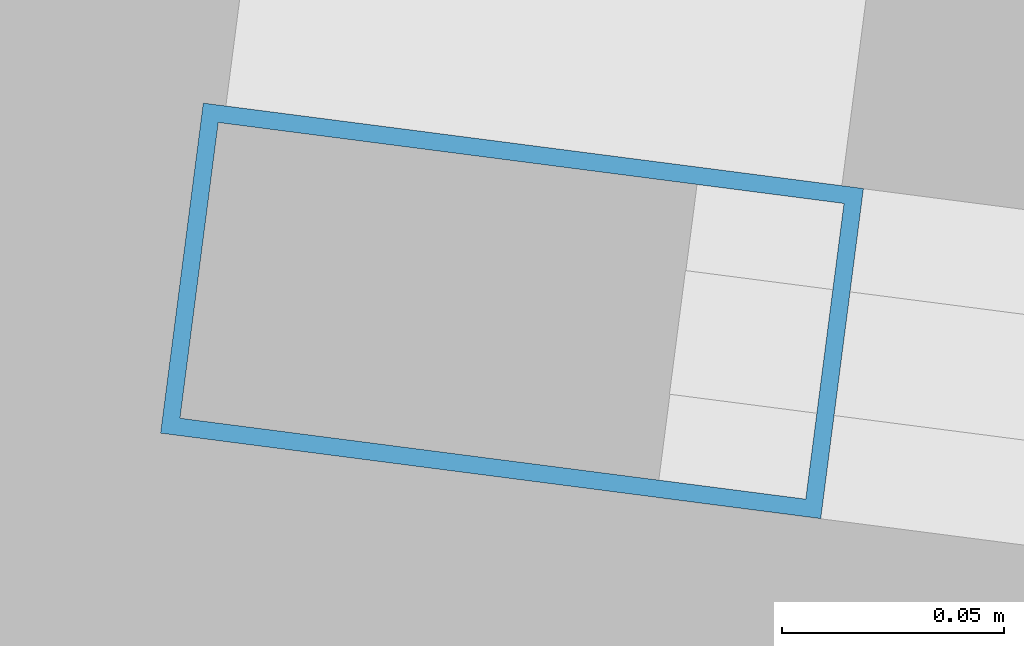
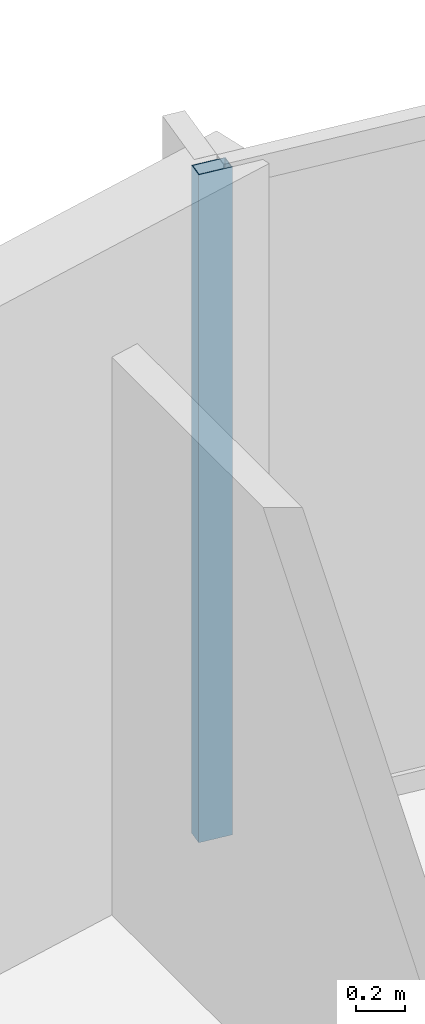
# One storey, part 22 of 33: 1 member, 1 element without a shape of its own.
"""IFC4 building model written with IfcOpenShell, lengths in metres."""

from ifc_helpers import new_model, si_unit, direction, frame, origin, origin_2d, place, context, subcontext, project, spatial, hollow_rectangle, extrude, material, layer, layer_set, material_profile, profile_set, type_object, element, aggregate, save


model = new_model("IFC4")

# Units and contexts
model_context = context("Model", 3, precision=1e-05, world=origin(), true_north=direction((0.0, 1.0)))
body_context = subcontext(model_context, "Body", "Model", "MODEL_VIEW")
ifc_project = project(units=[si_unit("LENGTHUNIT", "METRE"), si_unit("AREAUNIT", "SQUARE_METRE"), si_unit("VOLUMEUNIT", "CUBIC_METRE"), si_unit("PLANEANGLEUNIT", "RADIAN"), si_unit("MASSUNIT", "GRAM", prefix="KILO")], contexts=[model_context])

# Site, building, storey
site_placement = place(None, origin())
site = spatial("IfcSite", under=ifc_project, at=site_placement, CompositionType="ELEMENT")
building_placement = place(site_placement, origin())
building = spatial("IfcBuilding", under=site, at=building_placement, Name="Kazevale Care Tower and Concert Hall", CompositionType="ELEMENT")
storey_placement = place(building_placement, frame((0.0, 0.0, 153.0)))
storey = spatial("IfcBuildingStorey", under=building, at=storey_placement, Name="L40", CompositionType="ELEMENT", Elevation=153.0)

# Curtain wall, member
ifc_material_1 = material(Name="Aluminium 6063-T6 and Low-E Glass", Category="aluminium")
ifc_layer = layer(ifc_material_1, 0.179931640625)
ifc_layer_set = layer_set([ifc_layer], Name="Aluminium 6063-T6 and Low-E Glass")
curtain_wall_type = type_object("IfcCurtainWallType", Name="Convex Recessed Sunroom Curtain Wall CW-3", PredefinedType="NOTDEFINED", material=ifc_layer_set)
curtain_wall_placement = place(storey_placement, origin())
curtain_wall = element("IfcCurtainWall", 1, at=curtain_wall_placement, inside=storey, type_object=curtain_wall_type, Name="cw:L40:f16", PredefinedType="NOTDEFINED")
ifc_material_2 = material(Name="Aluminium 6063-T6", Category="aluminium")
ifc_material_profile = material_profile(ifc_material_2, hollow_rectangle(XDim=0.074951171875, YDim=0.14990234375, WallThickness=0.00390625, at=origin_2d()), Name="ALU75x150x4")
ifc_profile_set = profile_set([ifc_material_profile], Name="Aluminium 6063-T6")
member_type = type_object("IfcMemberType", Name="CW-3 Mullion ALU75x150x4", PredefinedType="MULLION", material=ifc_profile_set)
member_placement = place(storey_placement, frame((45.078125, 64.817138671875, 0.0), z_axis=(0.0, 0.0, 1.0), x_axis=(0.128299815569, 0.99173542708, 0.0)))
member = element("IfcMember", 2, at=member_placement, type_object=member_type, Name="CW-3 mullion 1", PredefinedType="MULLION", context=body_context, shape_type="SweptSolid", body=[
    extrude(hollow_rectangle(XDim=0.074951171875, YDim=0.14990234375, WallThickness=0.00390625, at=origin_2d()), origin(), (0.0, 0.0, 1.0), 3.360107421875),
])
aggregate(curtain_wall, [member])

save(model, "model.ifc")
